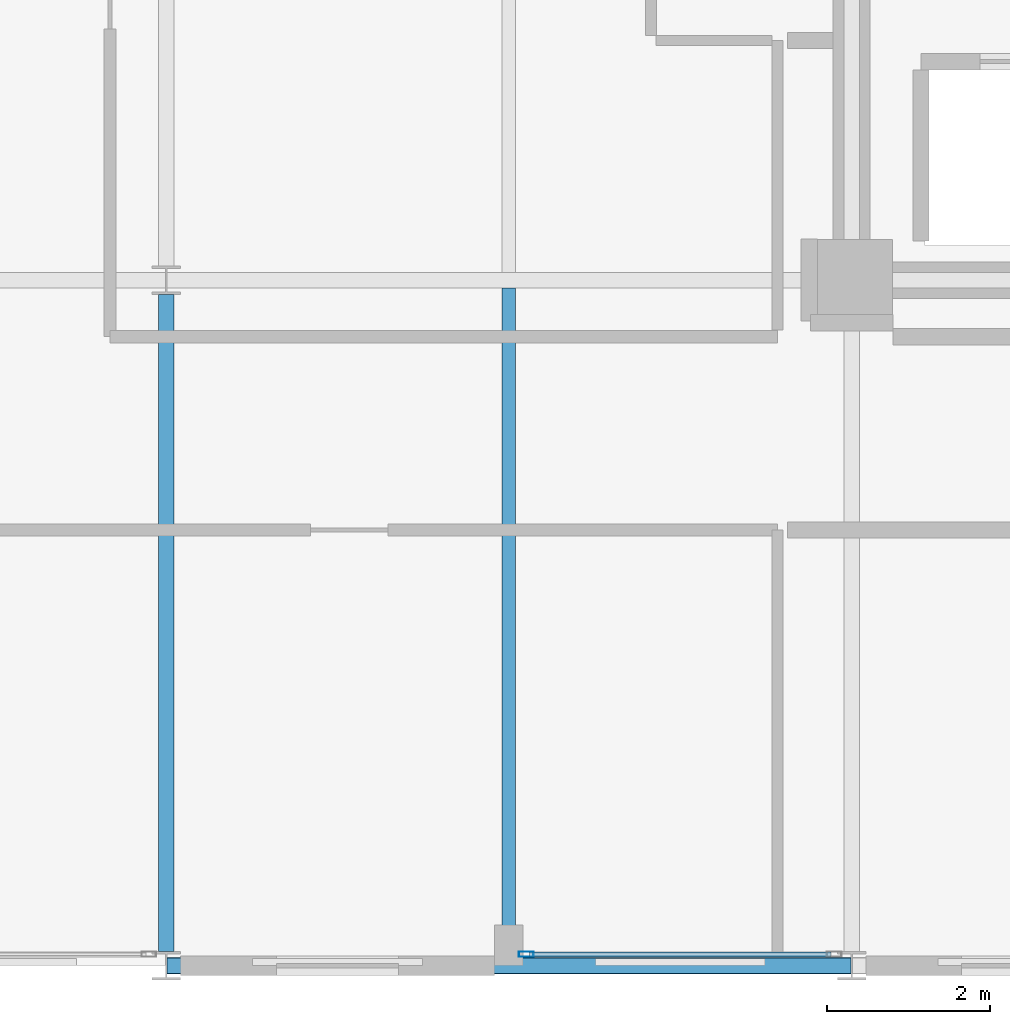
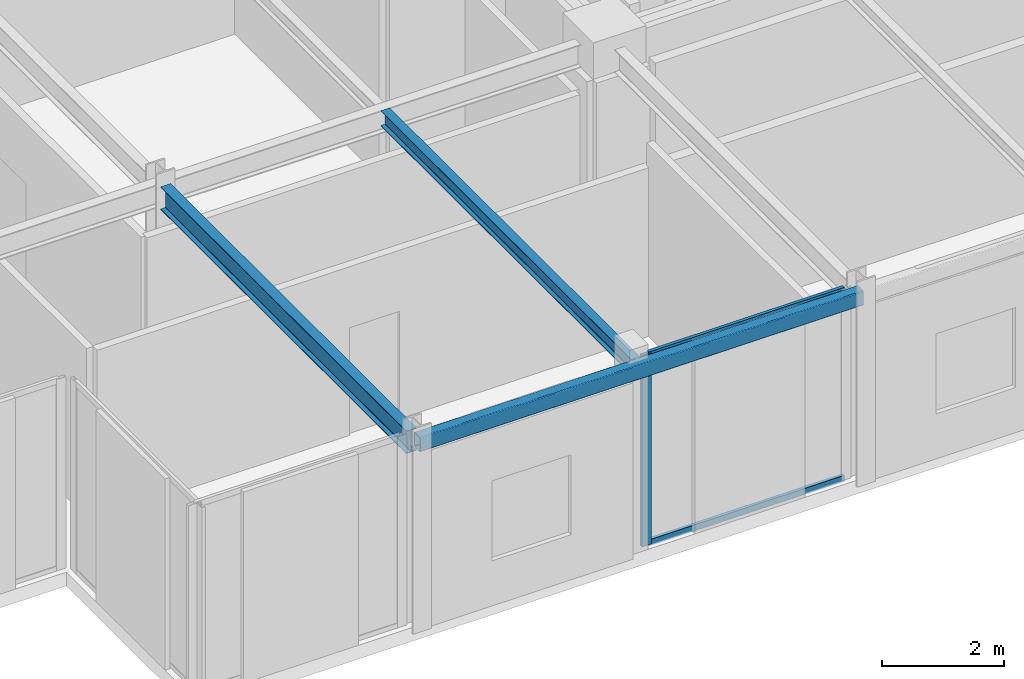
# One storey, part 3 of 25: 3 beams, 3 members, 1 element without a shape of its own.
"""IFC4 building model written with IfcOpenShell, lengths in metres."""

from ifc_helpers import new_model, si_unit, direction, frame, origin, origin_2d, place, context, subcontext, project, spatial, hollow_rectangle, i_section, extrude, material, layer, layer_set, material_profile, profile_set, type_object, element, aggregate, save


model = new_model("IFC4")

# Units and contexts
model_context = context("Model", 3, precision=1e-05, world=origin(), true_north=direction((0.0, 1.0)))
body_context = subcontext(model_context, "Body", "Model", "MODEL_VIEW")
ifc_project = project(units=[si_unit("LENGTHUNIT", "METRE"), si_unit("AREAUNIT", "SQUARE_METRE"), si_unit("VOLUMEUNIT", "CUBIC_METRE"), si_unit("PLANEANGLEUNIT", "RADIAN"), si_unit("MASSUNIT", "GRAM", prefix="KILO")], contexts=[model_context])

# Site, building, storey
site_placement = place(None, origin())
site = spatial("IfcSite", under=ifc_project, at=site_placement, CompositionType="ELEMENT")
building_placement = place(site_placement, origin())
building = spatial("IfcBuilding", under=site, at=building_placement, Name="Nerrivon Quay Data Exchange", CompositionType="ELEMENT")
storey_placement = place(building_placement, frame((0.0, 0.0, 232.89990234375)))
storey = spatial("IfcBuildingStorey", under=building, at=storey_placement, Name="L55", CompositionType="ELEMENT", Elevation=232.89990234375)

# Beams
ifc_material_1 = material(Name="Steel Grade 350", Category="steel")
ifc_material_profile_1 = material_profile(ifc_material_1, i_section(OverallWidth=0.18994140625, OverallDepth=0.4541015625, WebThickness=0.008544921875, FlangeThickness=0.0126953125, FilletRadius=0.011474609375, at=origin_2d()), Name="460UB67.1")
ifc_profile_set_1 = profile_set([ifc_material_profile_1], Name="Steel Grade 350")
beam_type_1 = type_object("IfcBeamType", Name="BM-G6-460UB67", PredefinedType="BEAM", material=ifc_profile_set_1)
beam_1_placement = place(storey_placement, frame((8.39990234375, 0.175048828125, 3.59814453125), z_axis=(0.0, 1.0, 0.0), x_axis=(-1.0, 0.0, 0.0)))
element("IfcBeam", 1, at=beam_1_placement, inside=storey, type_object=beam_type_1, Name="L55 NS Girder X=8.4 (0.0..8.4)", PredefinedType="BEAM", context=body_context, shape_type="SweptSolid", body=[
    extrude(i_section(OverallWidth=0.18994140625, OverallDepth=0.4541015625, WebThickness=0.008544921875, FlangeThickness=0.0126953125, FilletRadius=0.011474609375, at=origin_2d()), origin(), (0.0, 0.0, 1.0), 8.050048828125),
])
ifc_material_profile_2 = material_profile(ifc_material_1, i_section(OverallWidth=0.166015625, OverallDepth=0.306884765625, WebThickness=0.006591796875, FlangeThickness=0.01171875, FilletRadius=0.011474609375, at=origin_2d()), Name="310UB46.2")
ifc_profile_set_2 = profile_set([ifc_material_profile_2], Name="Steel Grade 350")
beam_type_2 = type_object("IfcBeamType", Name="BM-J5-310UB46", PredefinedType="JOIST", material=ifc_profile_set_2)
beam_2_placement = place(storey_placement, frame((12.60009765625, 0.10009765625, 3.671630859375), z_axis=(0.0, 1.0, 0.0), x_axis=(-1.0, 0.0, 0.0)))
element("IfcBeam", 2, at=beam_2_placement, inside=storey, type_object=beam_type_2, Name="L55 Secondary Joist X=12.6 (0.0..8.4)", PredefinedType="JOIST", context=body_context, shape_type="SweptSolid", body=[
    extrude(i_section(OverallWidth=0.166015625, OverallDepth=0.306884765625, WebThickness=0.006591796875, FlangeThickness=0.01171875, FilletRadius=0.011474609375, at=origin_2d()), origin(), (0.0, 0.0, 1.0), 8.204345703125),
])
ifc_material_2 = material(Name="Steel Grade C350L0 (350 MPa)", Category="steel")
ifc_material_profile_3 = material_profile(ifc_material_2, hollow_rectangle(XDim=0.199951171875, YDim=0.300048828125, WallThickness=0.012451171875, InnerFilletRadius=0.018798828125, OuterFilletRadius=0.03125, at=origin_2d()), Name="300x200x12.5RHS")
ifc_profile_set_3 = profile_set([ifc_material_profile_3], Name="Steel Grade C350L0 (350 MPa)")
beam_type_3 = type_object("IfcBeamType", Name="BM-SP3-300x200RHS", PredefinedType="SPANDREL", material=ifc_profile_set_3)
beam_3_placement = place(storey_placement, frame((8.409912109375, 0.0, 3.675048828125), z_axis=(1.0, 0.0, 0.0), x_axis=(0.0, 1.0, 0.0)))
element("IfcBeam", 3, at=beam_3_placement, inside=storey, type_object=beam_type_3, Name="L55 EW Girder Y=0.0 (8.4..16.8)", PredefinedType="SPANDREL", context=body_context, shape_type="SweptSolid", body=[
    extrude(hollow_rectangle(XDim=0.199951171875, YDim=0.300048828125, WallThickness=0.012451171875, InnerFilletRadius=0.018798828125, OuterFilletRadius=0.03125, at=origin_2d()), origin(), (0.0, 0.0, 1.0), 8.380126953125),
])

# Curtain wall, members
ifc_material_3 = material(Name="Anodised aluminium 6063-T6", Category="aluminium")
ifc_layer = layer(ifc_material_3, 0.195068359375)
ifc_layer_set = layer_set([ifc_layer], Name="Anodised aluminium 6063-T6")
curtain_wall_type = type_object("IfcCurtainWallType", Name="CW-SYS-06", PredefinedType="NOTDEFINED", material=ifc_layer_set)
curtain_wall_placement = place(storey_placement, origin())
curtain_wall = element("IfcCurtainWall", 4, at=curtain_wall_placement, inside=storey, type_object=curtain_wall_type, Name="L55 Unitised Curtain Wall 6", PredefinedType="NOTDEFINED")
ifc_material_profile_4 = material_profile(ifc_material_3, hollow_rectangle(XDim=0.06494140625, YDim=0.179931640625, WallThickness=0.00341796875, at=origin_2d()), Name="ALU-MULL-180x65")
ifc_profile_set_4 = profile_set([ifc_material_profile_4], Name="Anodised aluminium 6063-T6")
member_type_1 = type_object("IfcMemberType", Name="CWM-180x65", PredefinedType="MULLION", material=ifc_profile_set_4)
member_1_placement = place(storey_placement, frame((12.8125, 0.139892578125, 0.0), z_axis=(0.0, 0.0, 1.0), x_axis=(0.0, -1.0, 0.0)))
member_1 = element("IfcMember", 5, at=member_1_placement, type_object=member_type_1, Name="CW06 mullion 2", PredefinedType="MULLION", context=body_context, shape_type="SweptSolid", body=[
    extrude(hollow_rectangle(XDim=0.06494140625, YDim=0.179931640625, WallThickness=0.00341796875, at=origin_2d()), origin(), (0.0, 0.0, 1.0), 3.8251953125),
])
ifc_material_profile_5 = material_profile(ifc_material_3, hollow_rectangle(XDim=0.06005859375, YDim=0.1201171875, WallThickness=0.003173828125, at=origin_2d()), Name="ALU-TRAN-120x60")
ifc_profile_set_5 = profile_set([ifc_material_profile_5], Name="Anodised aluminium 6063-T6")
member_type_2 = type_object("IfcMemberType", Name="CWT-120x60", PredefinedType="USERDEFINED", material=ifc_profile_set_5)
member_2_placement = place(storey_placement, frame((16.550048828125, 0.139892578125, 0.03271484375), z_axis=(-1.0, 0.0, 0.0), x_axis=(0.0, -1.0, 0.0)))
member_2 = element("IfcMember", 6, at=member_2_placement, type_object=member_type_2, Name="CW06 transom 1.1", ObjectType="TRANSOM", PredefinedType="USERDEFINED", context=body_context, shape_type="SweptSolid", body=[
    extrude(hollow_rectangle(XDim=0.06005859375, YDim=0.1201171875, WallThickness=0.003173828125, at=origin_2d()), origin(), (0.0, 0.0, 1.0), 3.699951171875),
])
member_3_placement = place(storey_placement, frame((16.550048828125, 0.139892578125, 3.79248046875), z_axis=(-1.0, 0.0, 0.0), x_axis=(0.0, -1.0, 0.0)))
member_3 = element("IfcMember", 7, at=member_3_placement, type_object=member_type_2, Name="CW06 transom 1.2", ObjectType="TRANSOM", PredefinedType="USERDEFINED", context=body_context, shape_type="SweptSolid", body=[
    extrude(hollow_rectangle(XDim=0.06005859375, YDim=0.1201171875, WallThickness=0.003173828125, at=origin_2d()), origin(), (0.0, 0.0, 1.0), 3.699951171875),
])
aggregate(curtain_wall, [member_1, member_2, member_3])

save(model, "model.ifc")
